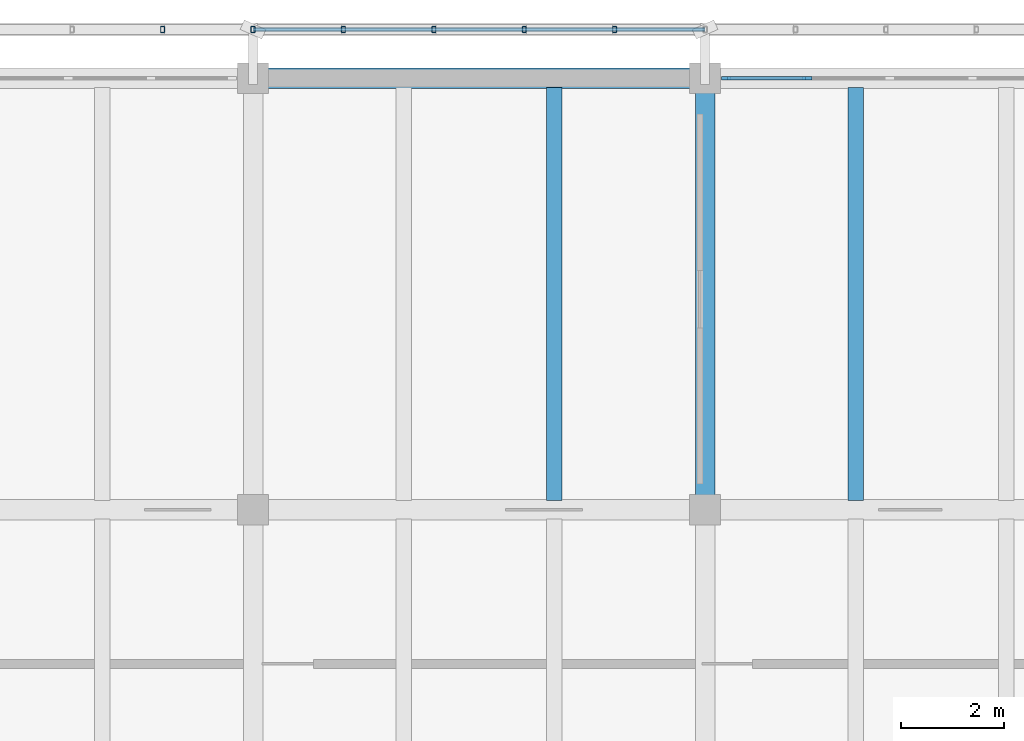
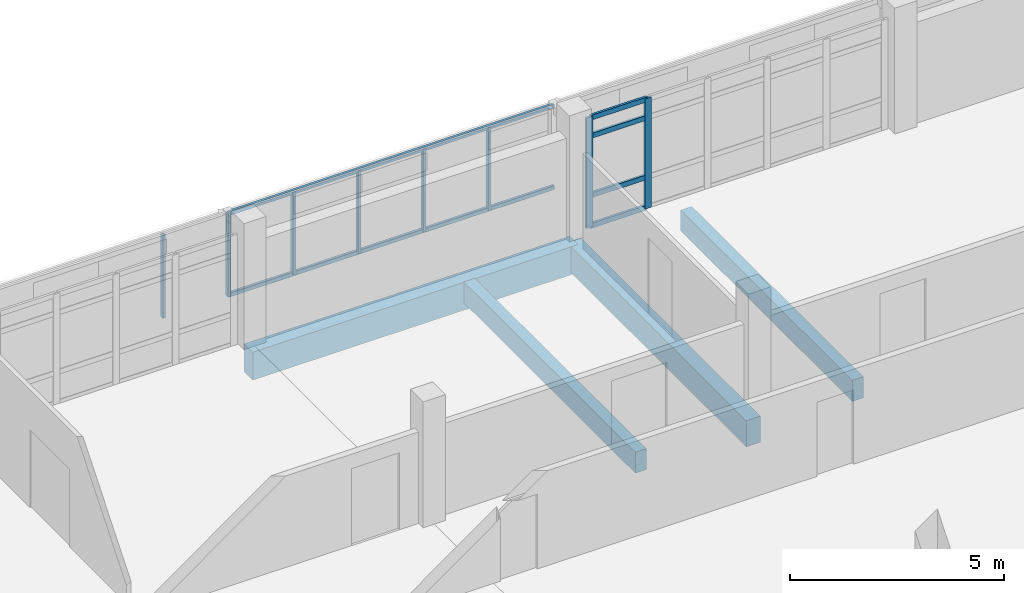
# One storey, part 26 of 50: 14 members, 4 beams, 1 element without a shape of its own.
"""IFC4 building model written with IfcOpenShell, lengths in metres."""

import ifcopenshell
import ifcopenshell.guid

model = None  # the IFC model being written
_history = None  # IfcOwnerHistory: only IFC2X3 demands one
_inside = {}  # id of a spatial element -> (the spatial element, [elements in it])
_under = {}  # id of a project, library or spatial element -> (it, [spatial elements below it])
_declared = {}  # id of a project -> (the project, [libraries it declares])
_typed = {}  # id of a type object -> (the type object, [elements of that type])
_made_of = {}  # id of a material, layer set ... -> (it, [elements and type objects made of it])


def new_model(schema):
    """Start an empty IFC model of exactly this schema.

    Asked for "IFC4X3", IfcOpenShell would pick the latest addendum, in which some entities
    have other attributes; the version numbers below select the first issue.
    IFC2X3 requires an IfcOwnerHistory on every rooted entity: one is made here for all.
    """
    global model, _history
    if schema == "IFC4X3":
        model = ifcopenshell.file(schema_version=(4, 3, 0, 0))
    else:
        model = ifcopenshell.file(schema=schema)
    _inside.clear()
    _under.clear()
    _declared.clear()
    _typed.clear()
    _made_of.clear()
    _history = None
    if model.schema == "IFC2X3":
        org = make("IfcOrganization", Name="unknown")
        user = make(
            "IfcPersonAndOrganization",
            ThePerson=make("IfcPerson", FamilyName="unknown"),
            TheOrganization=org,
        )
        app = make(
            "IfcApplication",
            ApplicationDeveloper=org,
            Version="unknown",
            ApplicationFullName="unknown",
            ApplicationIdentifier="unknown",
        )
        _history = make(
            "IfcOwnerHistory",
            OwningUser=user,
            OwningApplication=app,
            ChangeAction="ADDED",
            CreationDate=0,
        )
    return model


def make(cls, **values):
    """One entity of the class cls with the attributes given. An attribute that is None is left unset."""
    return model.create_entity(
        cls, **{name: value for name, value in values.items() if value is not None}
    )


def rooted(cls, **values):
    """An entity with a GlobalId (a new one), such as an element, a storey or a relation."""
    return make(cls, GlobalId=ifcopenshell.guid.new(), OwnerHistory=_history, **values)


def si_unit(unit_type, name, prefix=None):
    """IfcSIUnit, for example si_unit("LENGTHUNIT", "METRE", prefix="MILLI")."""
    return make("IfcSIUnit", UnitType=unit_type, Prefix=prefix, Name=name)


def assignment(units):
    """IfcUnitAssignment: the units of a project."""
    return None if units is None else make("IfcUnitAssignment", Units=units)


def point(xyz):
    """IfcCartesianPoint."""
    return None if xyz is None else make("IfcCartesianPoint", Coordinates=xyz)


def direction(xyz):
    """IfcDirection."""
    return None if xyz is None else make("IfcDirection", DirectionRatios=xyz)


def frame(location, z_axis=None, x_axis=None):
    """IfcAxis2Placement3D, a coordinate frame: its origin and axes. An axis left out is left unset."""
    return make(
        "IfcAxis2Placement3D",
        Location=point(location),
        Axis=direction(z_axis),
        RefDirection=direction(x_axis),
    )


def frame_2d(location, x_axis=None):
    """IfcAxis2Placement2D, a coordinate frame in the plane: its origin and x axis."""
    return make(
        "IfcAxis2Placement2D", Location=point(location), RefDirection=direction(x_axis)
    )


def origin():
    """The frame at (0, 0, 0) with its axes left unset."""
    return frame((0.0, 0.0, 0.0))


def origin_2d():
    """The frame at (0, 0) in the plane with its x axis left unset."""
    return frame_2d((0.0, 0.0))


def place(relative_to, where):
    """IfcLocalPlacement: puts the frame where relative to a parent placement (None: the world)."""
    return make(
        "IfcLocalPlacement", PlacementRelTo=relative_to, RelativePlacement=where
    )


def context(
    kind, dimensions, precision=None, world=None, true_north=None, identifier=None
):
    """IfcGeometricRepresentationContext, for example the 3D "Model" context."""
    return make(
        "IfcGeometricRepresentationContext",
        ContextIdentifier=identifier,
        ContextType=kind,
        CoordinateSpaceDimension=dimensions,
        Precision=precision,
        WorldCoordinateSystem=world,
        TrueNorth=true_north,
    )


def subcontext(parent, identifier, kind, view, scale=None):
    """IfcGeometricRepresentationSubContext, for example "Body" below "Model"."""
    return make(
        "IfcGeometricRepresentationSubContext",
        ContextIdentifier=identifier,
        ContextType=kind,
        ParentContext=parent,
        TargetScale=scale,
        TargetView=view,
    )


def project(units=None, contexts=None):
    """IfcProject with its units and contexts."""
    return rooted(
        "IfcProject",
        Name="project",
        RepresentationContexts=contexts,
        UnitsInContext=assignment(units),
    )


def spatial(cls, under=None, at=None, **own):
    """A site, building, storey or space (cls), placed at a placement, below another one or the project."""
    s = rooted(cls, ObjectPlacement=at, **own)
    if under is not None:
        _under.setdefault(under.id(), (under, []))[1].append(s)
    return s


def profile(cls, at=None, kind="AREA", **sizes):
    """A parametric profile (cls). Its sizes go by their IFC names, for example OverallWidth=200.0."""
    return make(cls, ProfileType=kind, Position=at, **sizes)


def rectangle(**sizes):
    """IfcRectangleProfileDef."""
    return profile("IfcRectangleProfileDef", **sizes)


def hollow_rectangle(**sizes):
    """IfcRectangleHollowProfileDef."""
    return profile("IfcRectangleHollowProfileDef", **sizes)


def extrude(swept, where, along, depth):
    """IfcExtrudedAreaSolid: the profile swept, set in the frame where, extruded along a direction by depth."""
    return make(
        "IfcExtrudedAreaSolid",
        SweptArea=swept,
        Position=where,
        ExtrudedDirection=direction(along),
        Depth=depth,
    )


def shape(context_of_items, identifier, shape_type, items):
    """IfcShapeRepresentation: the items that make up one representation, for example the "Body"."""
    return make(
        "IfcShapeRepresentation",
        ContextOfItems=context_of_items,
        RepresentationIdentifier=identifier,
        RepresentationType=shape_type,
        Items=items,
    )


def material(Name=None, Category=None):
    """IfcMaterial."""
    return make("IfcMaterial", Name=Name, Category=Category)


def material_profile(
    of_material, cross_section, Name=None, Category=None, Priority=None
):
    """IfcMaterialProfile: a cross section and its material."""
    return make(
        "IfcMaterialProfile",
        Name=Name,
        Material=of_material,
        Profile=cross_section,
        Priority=Priority,
        Category=Category,
    )


def profile_set(profiles, Name=None, composite=None):
    """IfcMaterialProfileSet."""
    return make(
        "IfcMaterialProfileSet",
        Name=Name,
        MaterialProfiles=profiles,
        CompositeProfile=composite,
    )


def made_of(thing, what):
    """Note that an element or type object is made of a material, layer set ...; save() writes the relation."""
    if what is not None:
        _made_of.setdefault(what.id(), (what, []))[1].append(thing)
    return thing


def type_object(cls, material=None, **own):
    """A type object (cls), such as IfcWallType, which elements share."""
    return made_of(rooted(cls, **own), material)


def element(
    cls,
    number,
    at=None,
    inside=None,
    cuts=None,
    type_object=None,
    material=None,
    context=None,
    identifier="Body",
    shape_type=None,
    held_by="IfcProductDefinitionShape",
    body=None,
    shapes=None,
    **own,
):
    """One element of the class cls, such as IfcWall. Its Tag is "e" and its number.

    at: its placement. inside: the storey or other place that contains it. cuts: it is an
    opening in that element (IfcRelVoidsElement). A single representation is given by context,
    identifier, shape_type and body (its items); several are given by shapes. held_by: the class
    of the entity that holds the representations. save() writes the other relations.
    """
    e = rooted(cls, Tag="e%d" % number, ObjectPlacement=at, **own)
    if body is not None:
        shapes = [shape(context, identifier, shape_type, body)]
    if shapes is not None:
        e.Representation = make(held_by, Representations=shapes)
    if inside is not None:
        _inside.setdefault(inside.id(), (inside, []))[1].append(e)
    if cuts is not None:
        rooted(
            "IfcRelVoidsElement", RelatingBuildingElement=cuts, RelatedOpeningElement=e
        )
    if type_object is not None:
        _typed.setdefault(type_object.id(), (type_object, []))[1].append(e)
    return made_of(e, material)


def aggregate(whole, parts):
    """IfcRelAggregates: a whole, such as a stair, and the parts it consists of."""
    return rooted("IfcRelAggregates", RelatingObject=whole, RelatedObjects=parts)


def save(model, path):
    """Write the relations noted so far, then the file.

    IfcRelAggregates (storeys below a building ...), IfcRelContainedInSpatialStructure (elements
    in a storey), IfcRelDefinesByType, IfcRelAssociatesMaterial and IfcRelDeclares: one each for
    every whole, place, type object, material and project.
    """
    for whole, parts in _under.values():
        aggregate(whole, parts)
    for where, things in _inside.values():
        rooted(
            "IfcRelContainedInSpatialStructure",
            RelatedElements=things,
            RelatingStructure=where,
        )
    for kind, things in _typed.values():
        rooted("IfcRelDefinesByType", RelatedObjects=things, RelatingType=kind)
    for what, things in _made_of.values():
        rooted("IfcRelAssociatesMaterial", RelatedObjects=things, RelatingMaterial=what)
    for by, libraries in _declared.values():
        rooted("IfcRelDeclares", RelatingContext=by, RelatedDefinitions=libraries)
    model.write(path)


model = new_model("IFC4")

# Units and contexts
model_context = context("Model", 3, precision=1e-05, world=origin(), true_north=direction((0.0, 1.0)))
body_context = subcontext(model_context, "Body", "Model", "MODEL_VIEW")
ifc_project = project(units=[si_unit("LENGTHUNIT", "METRE"), si_unit("AREAUNIT", "SQUARE_METRE"), si_unit("VOLUMEUNIT", "CUBIC_METRE"), si_unit("PLANEANGLEUNIT", "RADIAN"), si_unit("MASSUNIT", "GRAM", prefix="KILO")], contexts=[model_context])

# Site, building, storey
site_placement = place(None, origin())
site = spatial("IfcSite", under=ifc_project, at=site_placement, CompositionType="ELEMENT")
building_placement = place(site_placement, origin())
building = spatial("IfcBuilding", under=site, at=building_placement, Name="Cinderway Yard Community Centre", CompositionType="ELEMENT")
storey_placement = place(building_placement, frame((0.0, 0.0, 12.89990234375)))
storey = spatial("IfcBuildingStorey", under=building, at=storey_placement, Name="L03", CompositionType="ELEMENT", Elevation=12.89990234375)

# Curtain wall, members
ifc_material_1 = material(Name="Aluminium 6063-T6", Category="aluminium")
curtain_wall_type = type_object("IfcCurtainWallType", Name="ENV-CW-TYPE-33", PredefinedType="USERDEFINED", material=ifc_material_1)
curtain_wall_placement = place(storey_placement, origin())
curtain_wall = element("IfcCurtainWall", 1, at=curtain_wall_placement, inside=storey, type_object=curtain_wall_type, Name="V4 Street Curtain Wall ENV-CW-L03-HS-0169", ObjectType="GLAZED CURTAIN WALL", PredefinedType="USERDEFINED")
ifc_material_profile_1 = material_profile(ifc_material_1, rectangle(XDim=0.06494140625, YDim=0.179931640625, at=origin_2d()), Name="Aluminium 6063-T6")
ifc_profile_set_1 = profile_set([ifc_material_profile_1], Name="Aluminium 6063-T6")
member_type_1 = type_object("IfcMemberType", Name="ENV-CW-MULL-180", PredefinedType="MULLION", material=ifc_profile_set_1)
member_1_placement = place(storey_placement, frame((102.010009765625, 115.199951171875, 0.0), z_axis=(0.0, 0.0, 1.0), x_axis=(0.0, 1.0, 0.0)))
member_1 = element("IfcMember", 2, at=member_1_placement, type_object=member_type_1, Name="CW-33 mullion 1", PredefinedType="MULLION", context=body_context, shape_type="SweptSolid", body=[
    extrude(rectangle(XDim=0.06494140625, YDim=0.179931640625, at=origin_2d()), origin(), (0.0, 0.0, 1.0), 3.150146484375),
])
member_2_placement = place(storey_placement, frame((103.587890625, 115.199951171875, 0.0), z_axis=(0.0, 0.0, 1.0), x_axis=(0.0, 1.0, 0.0)))
member_2 = element("IfcMember", 3, at=member_2_placement, type_object=member_type_1, Name="CW-33 mullion 2", PredefinedType="MULLION", context=body_context, shape_type="SweptSolid", body=[
    extrude(rectangle(XDim=0.06494140625, YDim=0.179931640625, at=origin_2d()), origin(), (0.0, 0.0, 1.0), 3.150146484375),
])
ifc_material_profile_2 = material_profile(ifc_material_1, rectangle(XDim=0.06494140625, YDim=0.139892578125, at=origin_2d()), Name="Aluminium 6063-T6")
ifc_profile_set_2 = profile_set([ifc_material_profile_2], Name="Aluminium 6063-T6")
member_type_2 = type_object("IfcMemberType", Name="ENV-CW-TRAN-140", PredefinedType="USERDEFINED", material=ifc_profile_set_2)
member_3_placement = place(storey_placement, frame((102.0400390625, 115.199951171875, 0.030029296875), z_axis=(1.0, 0.0, 0.0), x_axis=(0.0, 1.0, 0.0)))
member_3 = element("IfcMember", 4, at=member_3_placement, type_object=member_type_2, Name="CW-33 transom 1.1", ObjectType="TRANSOM", PredefinedType="USERDEFINED", context=body_context, shape_type="SweptSolid", body=[
    extrude(rectangle(XDim=0.06494140625, YDim=0.139892578125, at=origin_2d()), origin(), (0.0, 0.0, 1.0), 1.51806640625),
])
member_4_placement = place(storey_placement, frame((102.0400390625, 115.199951171875, 0.900146484375), z_axis=(1.0, 0.0, 0.0), x_axis=(0.0, 1.0, 0.0)))
member_4 = element("IfcMember", 5, at=member_4_placement, type_object=member_type_2, Name="CW-33 transom 1.2", ObjectType="TRANSOM", PredefinedType="USERDEFINED", context=body_context, shape_type="SweptSolid", body=[
    extrude(rectangle(XDim=0.06494140625, YDim=0.139892578125, at=origin_2d()), origin(), (0.0, 0.0, 1.0), 1.51806640625),
])
member_5_placement = place(storey_placement, frame((102.0400390625, 115.199951171875, 2.60009765625), z_axis=(1.0, 0.0, 0.0), x_axis=(0.0, 1.0, 0.0)))
member_5 = element("IfcMember", 6, at=member_5_placement, type_object=member_type_2, Name="CW-33 transom 1.3", ObjectType="TRANSOM", PredefinedType="USERDEFINED", context=body_context, shape_type="SweptSolid", body=[
    extrude(rectangle(XDim=0.06494140625, YDim=0.139892578125, at=origin_2d()), origin(), (0.0, 0.0, 1.0), 1.51806640625),
])
member_6_placement = place(storey_placement, frame((102.0400390625, 115.199951171875, 3.1201171875), z_axis=(1.0, 0.0, 0.0), x_axis=(0.0, 1.0, 0.0)))
member_6 = element("IfcMember", 7, at=member_6_placement, type_object=member_type_2, Name="CW-33 transom 1.4", ObjectType="TRANSOM", PredefinedType="USERDEFINED", context=body_context, shape_type="SweptSolid", body=[
    extrude(rectangle(XDim=0.06494140625, YDim=0.139892578125, at=origin_2d()), origin(), (0.0, 0.0, 1.0), 1.51806640625),
])
aggregate(curtain_wall, [member_1, member_2, member_3, member_4, member_5, member_6])

# Members
ifc_material_2 = material(Name="Steel S355", Category="steel")
ifc_material_profile_3 = material_profile(ifc_material_2, hollow_rectangle(XDim=0.080078125, YDim=0.1201171875, WallThickness=0.00634765625, InnerFilletRadius=0.00634765625, OuterFilletRadius=0.0126953125, at=origin_2d()), Name="Steel S355")
ifc_profile_set_3 = profile_set([ifc_material_profile_3], Name="Steel S355")
member_type_3 = type_object("IfcMemberType", Name="ENV-MEM-SCREEN-RAIL-120", PredefinedType="STRINGER", material=ifc_profile_set_3)
for number, where, z_axis, x_axis, name in (
    (8, (91.0400390625, 116.14990234375, 0.690185546875), (0.0, 0.0, 1.0), (1.0, 0.0, 0.0), "Screen vertical mullion 0225"),
    (9, (92.800048828125, 116.14990234375, 0.690185546875), (0.0, 0.0, 1.0), (1.0, 0.0, 0.0), "Screen vertical mullion 0226"),
):
    element("IfcMember", number, at=place(storey_placement, frame(where, z_axis=z_axis, x_axis=x_axis)), inside=storey, type_object=member_type_3, Name=name, PredefinedType="STRINGER", context=body_context, shape_type="SweptSolid", body=[
        extrude(hollow_rectangle(XDim=0.080078125, YDim=0.1201171875, WallThickness=0.00634765625, InnerFilletRadius=0.00634765625, OuterFilletRadius=0.0126953125, at=origin_2d()), origin(), (0.0, 0.0, 1.0), 2.369873046875),
    ])
for number, where, z_axis, x_axis, name in (
    (10, (92.800048828125, 116.14990234375, 0.710205078125), (1.0, 0.0, 0.0), (0.0, 1.0, 0.0), "Screen support rail 0228-BOT"),
    (11, (92.800048828125, 116.14990234375, 3.0400390625), (1.0, 0.0, 0.0), (0.0, 1.0, 0.0), "Screen support rail 0229-TOP"),
):
    element("IfcMember", number, at=place(storey_placement, frame(where, z_axis=z_axis, x_axis=x_axis)), inside=storey, type_object=member_type_3, Name=name, PredefinedType="STRINGER", context=body_context, shape_type="SweptSolid", body=[
        extrude(hollow_rectangle(XDim=0.080078125, YDim=0.1201171875, WallThickness=0.00634765625, InnerFilletRadius=0.00634765625, OuterFilletRadius=0.0126953125, at=origin_2d()), origin(), (0.0, 0.0, 1.0), 8.800048828125),
    ])
for number, where, z_axis, x_axis, name in (
    (12, (94.56005859375, 116.14990234375, 0.690185546875), (0.0, 0.0, 1.0), (1.0, 0.0, 0.0), "Screen vertical mullion 0230"),
    (13, (96.320068359375, 116.14990234375, 0.690185546875), (0.0, 0.0, 1.0), (1.0, 0.0, 0.0), "Screen vertical mullion 0231"),
    (14, (98.080078125, 116.14990234375, 0.690185546875), (0.0, 0.0, 1.0), (1.0, 0.0, 0.0), "Screen vertical mullion 0232"),
    (15, (99.840087890625, 116.14990234375, 0.690185546875), (0.0, 0.0, 1.0), (1.0, 0.0, 0.0), "Screen vertical mullion 0233"),
):
    element("IfcMember", number, at=place(storey_placement, frame(where, z_axis=z_axis, x_axis=x_axis)), inside=storey, type_object=member_type_3, Name=name, PredefinedType="STRINGER", context=body_context, shape_type="SweptSolid", body=[
        extrude(hollow_rectangle(XDim=0.080078125, YDim=0.1201171875, WallThickness=0.00634765625, InnerFilletRadius=0.00634765625, OuterFilletRadius=0.0126953125, at=origin_2d()), origin(), (0.0, 0.0, 1.0), 2.369873046875),
    ])

# Beams
ifc_material_3 = material(Name="Concrete C35/45", Category="concrete")
ifc_material_profile_4 = material_profile(ifc_material_3, rectangle(XDim=0.300048828125, YDim=0.60009765625, at=origin_2d()), Name="Concrete C35/45")
ifc_profile_set_4 = profile_set([ifc_material_profile_4], Name="Concrete C35/45")
beam_type_1 = type_object("IfcBeamType", Name="STR-BM-RC300X600", PredefinedType="JOIST", material=ifc_profile_set_4)
for number, where, z_axis, x_axis, name in (
    (16, (98.6669921875, 106.98193359375, -0.539794921875), (0.0, 1.0, 0.0), (-1.0, 0.0, 0.0), "Secondary joist STR-BM-L03-BJ02-0787"),
    (17, (104.532958984375, 106.98193359375, -0.539794921875), (0.0, 1.0, 0.0), (-1.0, 0.0, 0.0), "Secondary joist STR-BM-L03-BJ02-0792"),
):
    element("IfcBeam", number, at=place(storey_placement, frame(where, z_axis=z_axis, x_axis=x_axis)), inside=storey, type_object=beam_type_1, Name=name, PredefinedType="JOIST", context=body_context, shape_type="SweptSolid", body=[
        extrude(rectangle(XDim=0.300048828125, YDim=0.60009765625, at=origin_2d()), origin(), (0.0, 0.0, 1.0), 8.0361328125),
    ])
ifc_material_profile_5 = material_profile(ifc_material_3, rectangle(XDim=0.3798828125, YDim=0.75, at=origin_2d()), Name="Concrete C35/45")
ifc_profile_set_5 = profile_set([ifc_material_profile_5], Name="Concrete C35/45")
beam_type_2 = type_object("IfcBeamType", Name="STR-BM-RC380X750", PredefinedType="BEAM", material=ifc_profile_set_5)
beam_1_placement = place(storey_placement, frame((101.60009765625, 106.800048828125, -0.614990234375), z_axis=(0.0, 1.0, 0.0), x_axis=(-1.0, 0.0, 0.0)))
element("IfcBeam", 18, at=beam_1_placement, inside=storey, type_object=beam_type_2, Name="Transverse girder STR-BM-L03-BG06-0737", PredefinedType="BEAM", context=body_context, shape_type="SweptSolid", body=[
    extrude(rectangle(XDim=0.3798828125, YDim=0.75, at=origin_2d()), origin(), (0.0, 0.0, 1.0), 8.39990234375),
])
ifc_material_4 = material(Name="Concrete C40/50", Category="concrete")
ifc_material_profile_6 = material_profile(ifc_material_4, rectangle(XDim=0.39990234375, YDim=0.800048828125, at=origin_2d()), Name="Concrete C40/50")
ifc_profile_set_6 = profile_set([ifc_material_profile_6], Name="Concrete C40/50")
beam_type_3 = type_object("IfcBeamType", Name="STR-BM-RC400X800", PredefinedType="BEAM", material=ifc_profile_set_6)
beam_2_placement = place(storey_placement, frame((92.800048828125, 115.199951171875, -0.639892578125), z_axis=(1.0, 0.0, 0.0), x_axis=(0.0, 1.0, 0.0)))
element("IfcBeam", 19, at=beam_2_placement, inside=storey, type_object=beam_type_3, Name="Primary girder STR-BM-L03-BG05-0709", PredefinedType="BEAM", context=body_context, shape_type="SweptSolid", body=[
    extrude(rectangle(XDim=0.39990234375, YDim=0.800048828125, at=origin_2d()), origin(), (0.0, 0.0, 1.0), 8.800048828125),
])

save(model, "model.ifc")
